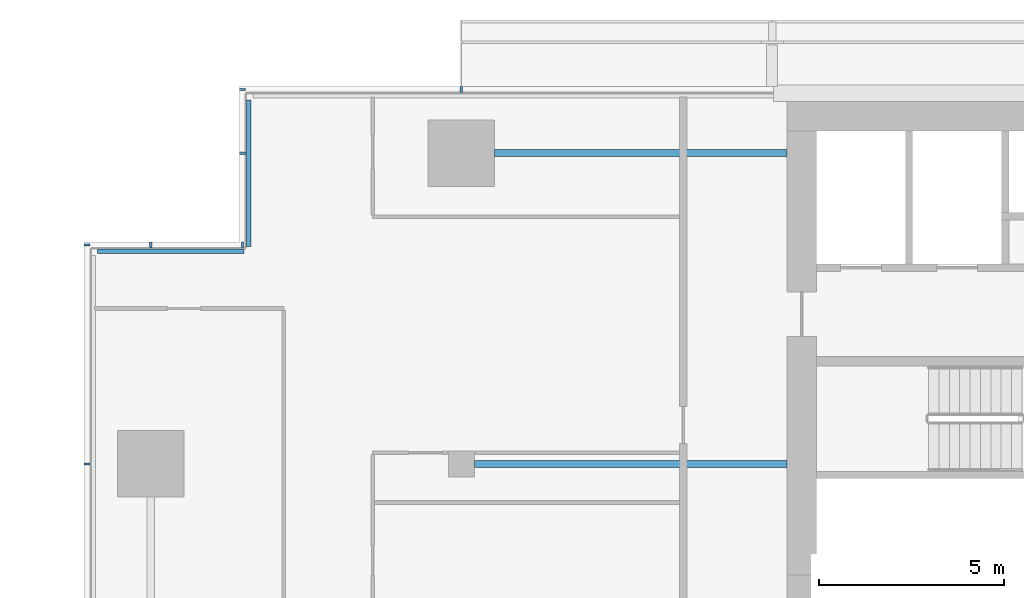
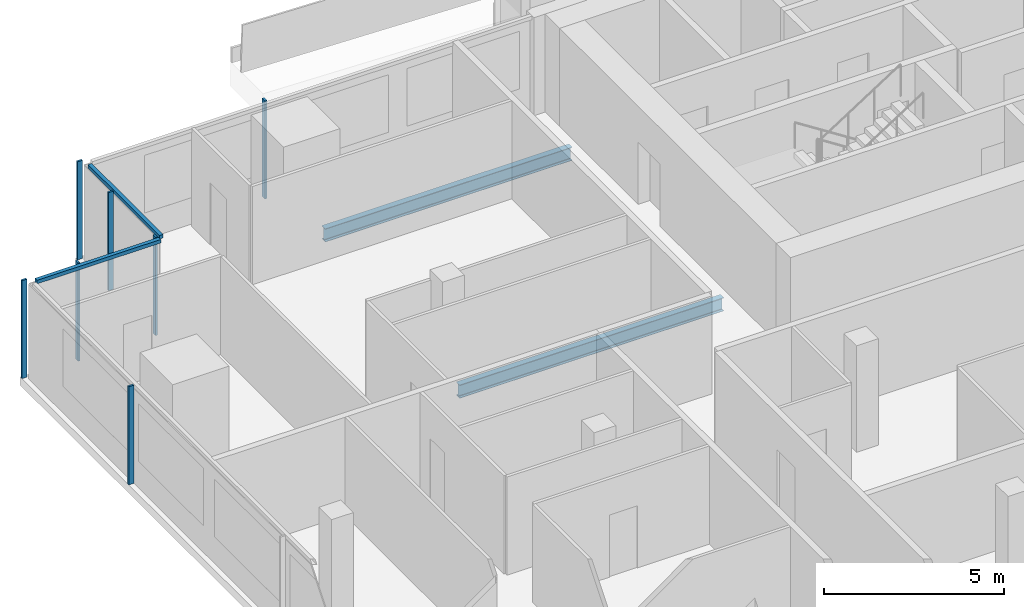
# One storey, part 8 of 28: 9 members, 2 beams, 4 elements without a shape of their own.
"""IFC4 building model written with IfcOpenShell, lengths in metres."""

from ifc_helpers import new_model, si_unit, direction, frame, origin, origin_2d, place, context, subcontext, project, spatial, rectangle, i_section, extrude, material, material_profile, profile_set, type_object, element, aggregate, save


model = new_model("IFC4")

# Units and contexts
model_context = context("Model", 3, precision=1e-05, world=origin(), true_north=direction((0.0, 1.0)))
body_context = subcontext(model_context, "Body", "Model", "MODEL_VIEW")
ifc_project = project(units=[si_unit("LENGTHUNIT", "METRE"), si_unit("AREAUNIT", "SQUARE_METRE"), si_unit("VOLUMEUNIT", "CUBIC_METRE"), si_unit("PLANEANGLEUNIT", "RADIAN"), si_unit("MASSUNIT", "GRAM", prefix="KILO")], contexts=[model_context])

# Site, building, storey
site_placement = place(None, origin())
site = spatial("IfcSite", under=ifc_project, at=site_placement, CompositionType="ELEMENT")
building_placement = place(site_placement, origin())
building = spatial("IfcBuilding", under=site, at=building_placement, Name="Saffron Gate Tower", CompositionType="ELEMENT")
storey_placement = place(building_placement, frame((0.0, 0.0, 176.25)))
storey = spatial("IfcBuildingStorey", under=building, at=storey_placement, Name="L43", CompositionType="ELEMENT", Elevation=176.25)

# Beams
ifc_material_1 = material(Name="Structural steel S355", Category="steel")
ifc_material_profile_1 = material_profile(ifc_material_1, i_section(OverallWidth=0.18994140625, OverallDepth=0.449951171875, WebThickness=0.009521484375, FlangeThickness=0.0146484375, FilletRadius=0.02099609375, at=origin_2d()))
ifc_profile_set_1 = profile_set([ifc_material_profile_1], Name="Structural steel S355")
beam_type = type_object("IfcBeamType", Name="B6 IPE 450", PredefinedType="BEAM", material=ifc_profile_set_1)
beam_1_placement = place(storey_placement, frame((58.550048828125, 65.39990234375, -0.5048828125), z_axis=(1.0, 0.0, 0.0), x_axis=(0.0, 1.0, 0.0)))
element("IfcBeam", 1, at=beam_1_placement, inside=storey, type_object=beam_type, Name="B6 CORE TIE BEAM", PredefinedType="BEAM", context=body_context, shape_type="SweptSolid", body=[
    extrude(i_section(OverallWidth=0.18994140625, OverallDepth=0.449951171875, WebThickness=0.009521484375, FlangeThickness=0.0146484375, FilletRadius=0.02099609375, at=origin_2d()), origin(), (0.0, 0.0, 1.0), 8.449951171875),
])
beam_2_placement = place(storey_placement, frame((59.10009765625, 73.800048828125, -0.5048828125), z_axis=(1.0, 0.0, 0.0), x_axis=(0.0, 1.0, 0.0)))
element("IfcBeam", 2, at=beam_2_placement, inside=storey, type_object=beam_type, Name="B6 CORE TIE BEAM", PredefinedType="BEAM", context=body_context, shape_type="SweptSolid", body=[
    extrude(i_section(OverallWidth=0.18994140625, OverallDepth=0.449951171875, WebThickness=0.009521484375, FlangeThickness=0.0146484375, FilletRadius=0.02099609375, at=origin_2d()), origin(), (0.0, 0.0, 1.0), 7.89990234375),
])

# Curtain wall, members
ifc_material_2 = material(Name="Aluminium, bronze anodised", Category="aluminium")
curtain_wall_type_1 = type_object("IfcCurtainWallType", Name="CWS2 curtain wall side facades", PredefinedType="NOTDEFINED", material=ifc_material_2)
curtain_wall_1_placement = place(storey_placement, origin())
curtain_wall_1 = element("IfcCurtainWall", 3, at=curtain_wall_1_placement, inside=storey, type_object=curtain_wall_type_1, Name="CWS2 run 10", PredefinedType="NOTDEFINED")
ifc_material_profile_2 = material_profile(ifc_material_2, rectangle(XDim=0.159912109375, YDim=0.06005859375, at=origin_2d()))
ifc_profile_set_2 = profile_set([ifc_material_profile_2], Name="Aluminium, bronze anodised")
member_type_1 = type_object("IfcMemberType", Name="CWS2 mullion 60x160", PredefinedType="MULLION", material=ifc_profile_set_2)
member_1_placement = place(storey_placement, frame((48.080078125, 71.320068359375, 0.0), z_axis=(0.0, 0.0, 1.0), x_axis=(1.0, 0.0, 0.0)))
member_1 = element("IfcMember", 4, at=member_1_placement, type_object=member_type_1, Name="CWS2 mullion 1", PredefinedType="MULLION", context=body_context, shape_type="SweptSolid", body=[
    extrude(rectangle(XDim=0.159912109375, YDim=0.06005859375, at=origin_2d()), origin(), (0.0, 0.0, 1.0), 3.320068359375),
])
member_2_placement = place(storey_placement, frame((48.080078125, 65.39990234375, 0.0), z_axis=(0.0, 0.0, 1.0), x_axis=(1.0, 0.0, 0.0)))
member_2 = element("IfcMember", 5, at=member_2_placement, type_object=member_type_1, Name="CWS2 mullion 2", PredefinedType="MULLION", context=body_context, shape_type="SweptSolid", body=[
    extrude(rectangle(XDim=0.159912109375, YDim=0.06005859375, at=origin_2d()), origin(), (0.0, 0.0, 1.0), 3.320068359375),
])
aggregate(curtain_wall_1, [member_1, member_2])

# Curtain wall, member
curtain_wall_type_2 = type_object("IfcCurtainWallType", Name="CWS3 curtain wall rear facade", PredefinedType="NOTDEFINED", material=ifc_material_2)
curtain_wall_2_placement = place(storey_placement, origin())
curtain_wall_2 = element("IfcCurtainWall", 6, at=curtain_wall_2_placement, inside=storey, type_object=curtain_wall_type_2, Name="CWS3 run 7", PredefinedType="NOTDEFINED")
ifc_material_profile_3 = material_profile(ifc_material_2, rectangle(XDim=0.159912109375, YDim=0.070068359375, at=origin_2d()))
ifc_profile_set_3 = profile_set([ifc_material_profile_3], Name="Aluminium, bronze anodised")
member_type_2 = type_object("IfcMemberType", Name="CWS3 mullion 70x160", PredefinedType="MULLION", material=ifc_profile_set_3)
member_3_placement = place(storey_placement, frame((58.199951171875, 75.52001953125, 0.0), z_axis=(0.0, 0.0, 1.0), x_axis=(0.0, -1.0, 0.0)))
member_3 = element("IfcMember", 7, at=member_3_placement, type_object=member_type_2, Name="CWS3 mullion 9", PredefinedType="MULLION", context=body_context, shape_type="SweptSolid", body=[
    extrude(rectangle(XDim=0.159912109375, YDim=0.070068359375, at=origin_2d()), origin(), (0.0, 0.0, 1.0), 3.320068359375),
])
aggregate(curtain_wall_2, [member_3])

curtain_wall_type_3 = type_object("IfcCurtainWallType", Name="CWS4 curtain wall corner returns", PredefinedType="NOTDEFINED", material=ifc_material_2)
curtain_wall_3_placement = place(storey_placement, origin())
curtain_wall_3 = element("IfcCurtainWall", 8, at=curtain_wall_3_placement, inside=storey, type_object=curtain_wall_type_3, Name="CWS4 run 8", PredefinedType="NOTDEFINED")
ifc_material_profile_4 = material_profile(ifc_material_2, rectangle(XDim=0.1201171875, YDim=0.1201171875, at=origin_2d()))
ifc_profile_set_4 = profile_set([ifc_material_profile_4], Name="Aluminium, bronze anodised")
member_type_3 = type_object("IfcMemberType", Name="CWS4 head transom", PredefinedType="USERDEFINED", material=ifc_profile_set_4)
member_4_placement = place(storey_placement, frame((52.447998046875, 75.23193359375, 3.260009765625), z_axis=(0.0, -1.0, 0.0), x_axis=(1.0, 0.0, 0.0)))
member_4 = element("IfcMember", 9, at=member_4_placement, type_object=member_type_3, Name="CWS4 head transom", ObjectType="TRANSOM", PredefinedType="USERDEFINED", context=body_context, shape_type="SweptSolid", body=[
    extrude(rectangle(XDim=0.1201171875, YDim=0.1201171875, at=origin_2d()), origin(), (0.0, 0.0, 1.0), 3.9599609375),
])

curtain_wall_4_placement = place(storey_placement, origin())
curtain_wall_4 = element("IfcCurtainWall", 10, at=curtain_wall_4_placement, inside=storey, type_object=curtain_wall_type_3, Name="CWS4 run 9", PredefinedType="NOTDEFINED")
member_5_placement = place(storey_placement, frame((52.327880859375, 71.152099609375, 3.260009765625), z_axis=(-1.0, 0.0, 0.0), x_axis=(0.0, -1.0, 0.0)))
member_5 = element("IfcMember", 11, at=member_5_placement, type_object=member_type_3, Name="CWS4 head transom", ObjectType="TRANSOM", PredefinedType="USERDEFINED", context=body_context, shape_type="SweptSolid", body=[
    extrude(rectangle(XDim=0.1201171875, YDim=0.1201171875, at=origin_2d()), origin(), (0.0, 0.0, 1.0), 3.9599609375),
])

# Member
ifc_material_profile_5 = material_profile(ifc_material_2, rectangle(XDim=0.159912109375, YDim=0.06005859375, at=origin_2d()))
ifc_profile_set_5 = profile_set([ifc_material_profile_5], Name="Aluminium, bronze anodised")
member_type_4 = type_object("IfcMemberType", Name="CWS4 mullion 60x160", PredefinedType="MULLION", material=ifc_profile_set_5)
member_6_placement = place(storey_placement, frame((52.280029296875, 75.52001953125, 0.0), z_axis=(0.0, 0.0, 1.0), x_axis=(1.0, 0.0, 0.0)))
member_6 = element("IfcMember", 12, at=member_6_placement, type_object=member_type_4, Name="CWS4 mullion 1", PredefinedType="MULLION", context=body_context, shape_type="SweptSolid", body=[
    extrude(rectangle(XDim=0.159912109375, YDim=0.06005859375, at=origin_2d()), origin(), (0.0, 0.0, 1.0), 3.320068359375),
])

member_7_placement = place(storey_placement, frame((52.280029296875, 73.800048828125, 0.0), z_axis=(0.0, 0.0, 1.0), x_axis=(1.0, 0.0, 0.0)))
member_7 = element("IfcMember", 13, at=member_7_placement, type_object=member_type_4, Name="CWS4 mullion 2", PredefinedType="MULLION", context=body_context, shape_type="SweptSolid", body=[
    extrude(rectangle(XDim=0.159912109375, YDim=0.06005859375, at=origin_2d()), origin(), (0.0, 0.0, 1.0), 3.320068359375),
])

aggregate(curtain_wall_3, [member_6, member_7, member_4])

member_8_placement = place(storey_placement, frame((52.280029296875, 71.320068359375, 0.0), z_axis=(0.0, 0.0, 1.0), x_axis=(0.0, -1.0, 0.0)))
member_8 = element("IfcMember", 14, at=member_8_placement, type_object=member_type_4, Name="CWS4 mullion 1", PredefinedType="MULLION", context=body_context, shape_type="SweptSolid", body=[
    extrude(rectangle(XDim=0.159912109375, YDim=0.06005859375, at=origin_2d()), origin(), (0.0, 0.0, 1.0), 3.320068359375),
])

member_9_placement = place(storey_placement, frame((49.800048828125, 71.320068359375, 0.0), z_axis=(0.0, 0.0, 1.0), x_axis=(0.0, -1.0, 0.0)))
member_9 = element("IfcMember", 15, at=member_9_placement, type_object=member_type_4, Name="CWS4 mullion 2", PredefinedType="MULLION", context=body_context, shape_type="SweptSolid", body=[
    extrude(rectangle(XDim=0.159912109375, YDim=0.06005859375, at=origin_2d()), origin(), (0.0, 0.0, 1.0), 3.320068359375),
])

aggregate(curtain_wall_4, [member_8, member_9, member_5])

save(model, "model.ifc")
